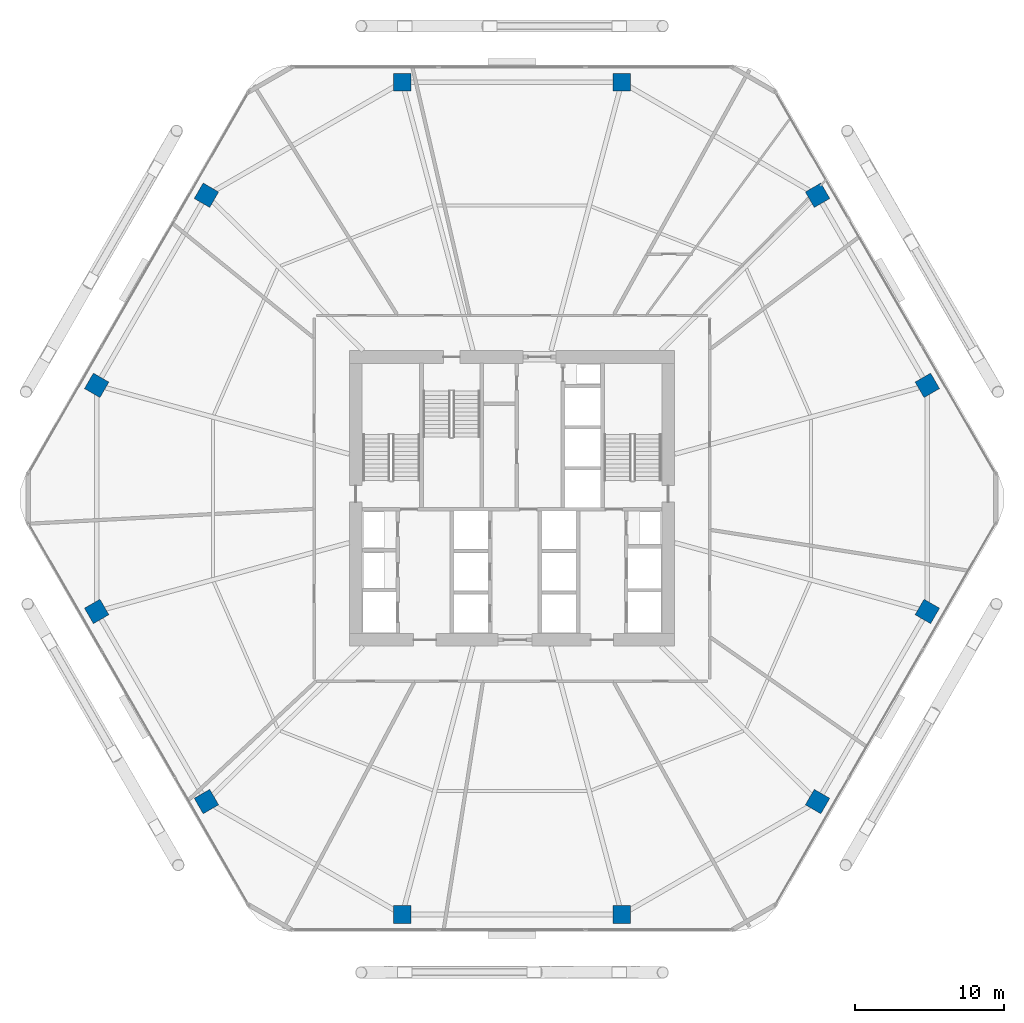
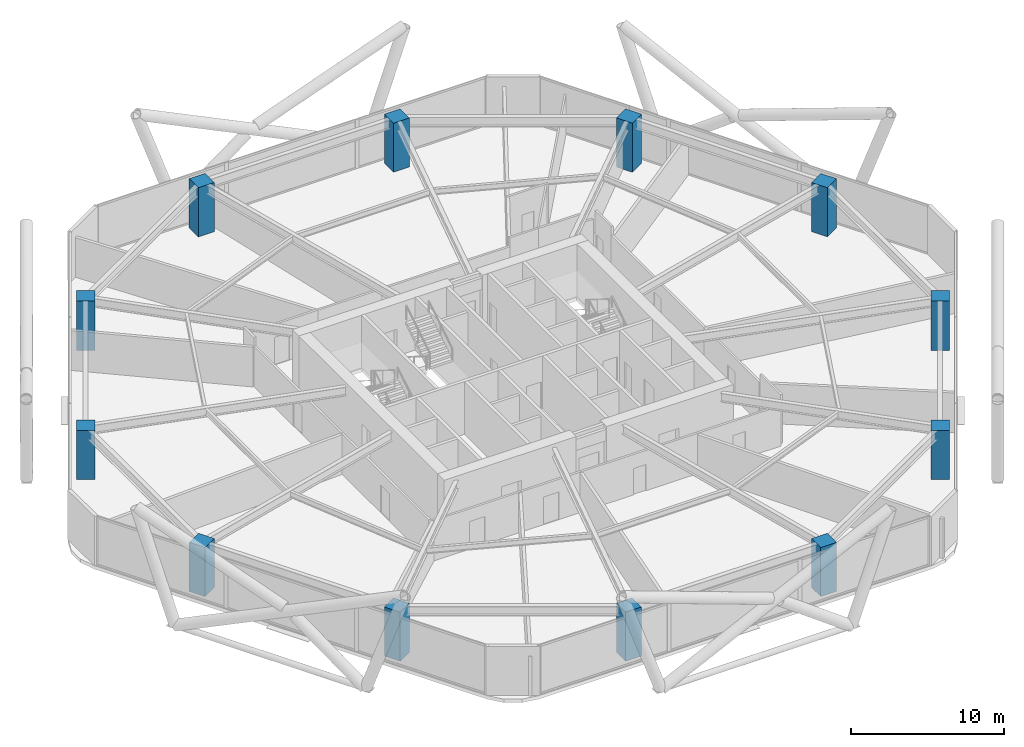
# One storey, part 1 of 30: 12 columns.
"""IFC4 building model written with IfcOpenShell, lengths in metres."""

from ifc_helpers import new_model, si_unit, direction, frame, origin, origin_2d, place, context, subcontext, project, spatial, rectangle, extrude, material, material_profile, profile_set, type_object, element, save


model = new_model("IFC4")

# Units and contexts
model_context = context("Model", 3, precision=1e-05, world=origin(), true_north=direction((0.0, 1.0)))
body_context = subcontext(model_context, "Body", "Model", "MODEL_VIEW")
ifc_project = project(units=[si_unit("LENGTHUNIT", "METRE"), si_unit("AREAUNIT", "SQUARE_METRE"), si_unit("VOLUMEUNIT", "CUBIC_METRE"), si_unit("PLANEANGLEUNIT", "RADIAN"), si_unit("MASSUNIT", "GRAM", prefix="KILO")], contexts=[model_context])

# Site, building, storey
site_placement = place(None, origin())
site = spatial("IfcSite", under=ifc_project, at=site_placement, CompositionType="ELEMENT")
building_placement = place(site_placement, origin())
building = spatial("IfcBuilding", under=site, at=building_placement, Name="Zuhravey Tower", CompositionType="ELEMENT")
storey_placement = place(building_placement, frame((0.0, 0.0, 33.0)))
storey = spatial("IfcBuildingStorey", under=building, at=storey_placement, Name="L08", CompositionType="ELEMENT", Elevation=33.0)

# Columns
ifc_material = material(Name="Concrete C60/75", Category="concrete")
ifc_material_profile = material_profile(ifc_material, rectangle(XDim=1.199951171875, YDim=1.199951171875, at=origin_2d()), Name="RC-1200x1200")
ifc_profile_set = profile_set([ifc_material_profile], Name="Concrete C60/75")
column_type = type_object("IfcColumnType", Name="Zone 1 Perimeter Column 1200x1200", PredefinedType="COLUMN", material=ifc_profile_set)
for number, where, z_axis, x_axis, name in (
    (1, (63.88916015625, 39.591552734375, 0.0), (0.0, 0.0, 1.0), (-0.5, 0.866025403784, 0.0), "L08 Perimeter Column PC01"),
    (2, (56.51904296875, 52.35693359375, 0.0), (0.0, 0.0, 1.0), (-0.5, 0.866025403784, 0.0), "L08 Perimeter Column PC02"),
    (3, (43.3701171875, 59.948486328125, 0.0), (0.0, 0.0, 1.0), (-1.0, 0.0, 0.0), "L08 Perimeter Column PC03"),
    (4, (28.6298828125, 59.948486328125, 0.0), (0.0, 0.0, 1.0), (-1.0, 0.0, 0.0), "L08 Perimeter Column PC04"),
    (5, (15.48095703125, 52.35693359375, 0.0), (0.0, 0.0, 1.0), (-0.5, -0.866025403784, 0.0), "L08 Perimeter Column PC05"),
    (6, (8.11083984375, 39.591552734375, 0.0), (0.0, 0.0, 1.0), (-0.5, -0.866025403784, 0.0), "L08 Perimeter Column PC06"),
    (7, (8.11083984375, 24.408447265625, 0.0), (0.0, 0.0, 1.0), (0.5, -0.866025403784, 0.0), "L08 Perimeter Column PC07"),
    (8, (15.48095703125, 11.64306640625, 0.0), (0.0, 0.0, 1.0), (0.5, -0.866025403784, 0.0), "L08 Perimeter Column PC08"),
    (9, (28.6298828125, 4.051513671875, 0.0), (0.0, 0.0, 1.0), (1.0, 0.0, 0.0), "L08 Perimeter Column PC09"),
    (10, (43.3701171875, 4.051513671875, 0.0), (0.0, 0.0, 1.0), (1.0, 0.0, 0.0), "L08 Perimeter Column PC10"),
    (11, (56.51904296875, 11.64306640625, 0.0), (0.0, 0.0, 1.0), (0.5, 0.866025403784, 0.0), "L08 Perimeter Column PC11"),
    (12, (63.88916015625, 24.408447265625, 0.0), (0.0, 0.0, 1.0), (0.5, 0.866025403784, 0.0), "L08 Perimeter Column PC12"),
):
    element("IfcColumn", number, at=place(storey_placement, frame(where, z_axis=z_axis, x_axis=x_axis)), inside=storey, type_object=column_type, Name=name, PredefinedType="COLUMN", context=body_context, shape_type="SweptSolid", body=[
        extrude(rectangle(XDim=1.199951171875, YDim=1.199951171875, at=origin_2d()), origin(), (0.0, 0.0, 1.0), 3.919921875),
    ])

save(model, "model.ifc")
